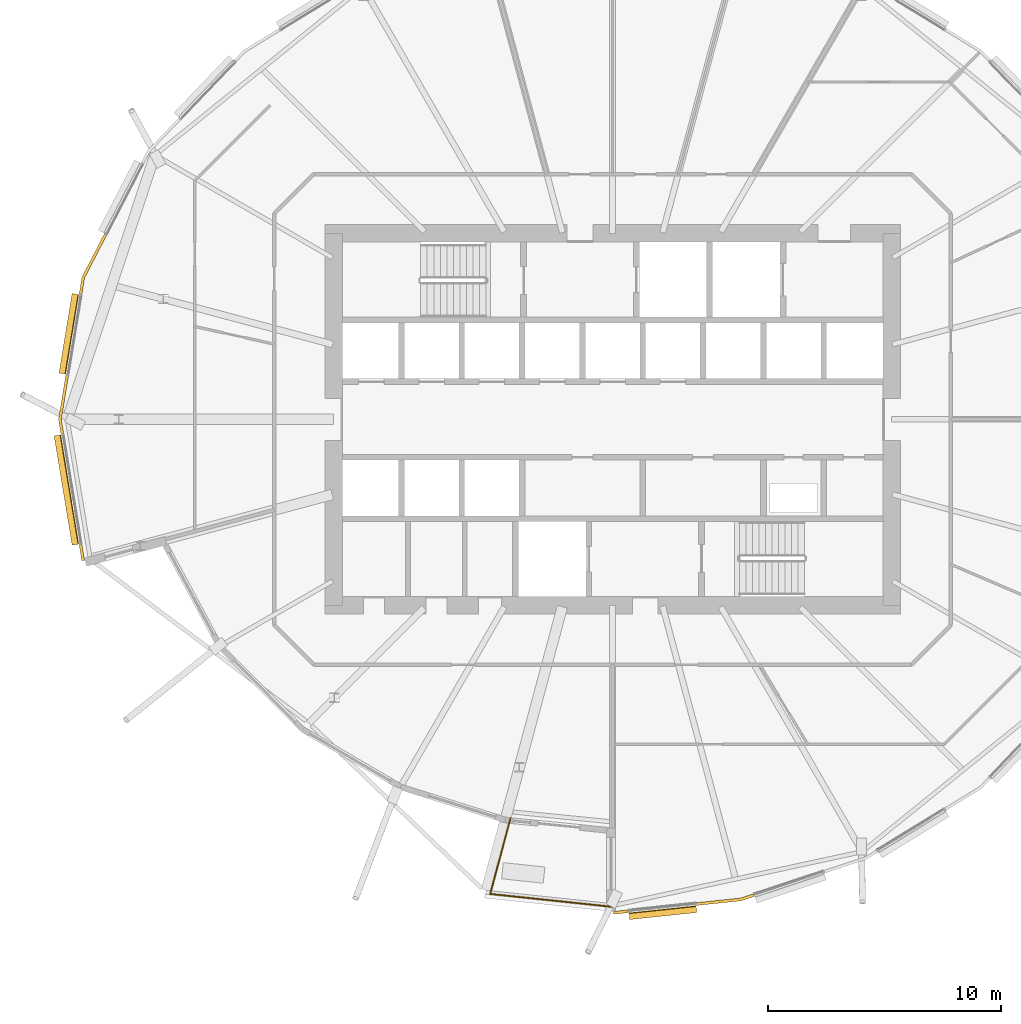
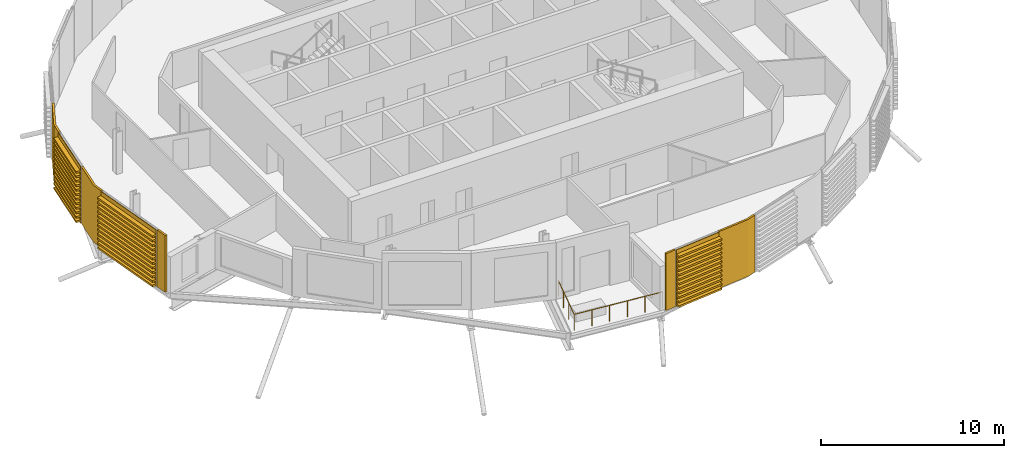
# One storey, part 36 of 43: 8 coverings, 1 railing.
"""IFC4 building model written with IfcOpenShell, lengths in metres."""

from ifc_helpers import new_model, si_unit, direction, frame, origin, origin_2d, place, context, subcontext, project, spatial, polyline, circle, outline, extrude, material, layer, layer_set, material_profile, profile_set, type_object, element, save


model = new_model("IFC4")

# Units and contexts
model_context = context("Model", 3, precision=1e-05, world=origin(), true_north=direction((0.0, 1.0)))
body_context = subcontext(model_context, "Body", "Model", "MODEL_VIEW")
ifc_project = project(units=[si_unit("LENGTHUNIT", "METRE"), si_unit("AREAUNIT", "SQUARE_METRE"), si_unit("VOLUMEUNIT", "CUBIC_METRE"), si_unit("PLANEANGLEUNIT", "RADIAN"), si_unit("MASSUNIT", "GRAM", prefix="KILO")], contexts=[model_context])

# Site, building, storey
site_placement = place(None, origin())
site = spatial("IfcSite", under=ifc_project, at=site_placement, CompositionType="ELEMENT")
building_placement = place(site_placement, origin())
building = spatial("IfcBuilding", under=site, at=building_placement, Name="Rimbun Link Towers", CompositionType="ELEMENT")
storey_placement = place(building_placement, frame((0.0, 0.0, 81.60009765625)))
storey = spatial("IfcBuildingStorey", under=building, at=storey_placement, Name="L19", CompositionType="ELEMENT", Elevation=81.60009765625)

# Railing
ifc_material_1 = material(Name="Stainless steel grade 316", Category="steel")
railing_type = type_object("IfcRailingType", Name="GUARD stainless rail and posts", PredefinedType="GUARDRAIL", material=ifc_material_1)
railing_placement = place(storey_placement, frame((-36.140869140625, -17.15966796875, 0.0)))
element("IfcRailing", 1, at=railing_placement, inside=storey, type_object=railing_type, Name="GUARD", PredefinedType="GUARDRAIL", context=body_context, shape_type="SweptSolid", body=[
    extrude(circle(Radius=0.02392578125, at=origin_2d()), frame((0.0, 0.0, 1.076171875), z_axis=(-0.258818270414, -0.965926033866, 0.0), x_axis=(0.965926033866, -0.258818270414, 0.0)), (0.0, 0.0, 1.0), 3.36572265625),
    extrude(circle(Radius=0.02392578125, at=origin_2d()), frame((-0.87109375, -3.2509765625, 1.076171875), z_axis=(0.994499659348, -0.104739808848, 0.0), x_axis=(0.104739808848, 0.994499659348, 0.0)), (0.0, 0.0, 1.0), 5.312255859375),
    extrude(circle(Radius=0.02099609375, at=origin_2d()), origin(), (0.0, 0.0, 1.0), 1.052001953125),
    extrude(circle(Radius=0.02099609375, at=origin_2d()), frame((-0.290283203125, -1.083740234375, 0.0)), (0.0, 0.0, 1.0), 1.052001953125),
    extrude(circle(Radius=0.02099609375, at=origin_2d()), frame((-0.580810546875, -2.167236328125, 0.0)), (0.0, 0.0, 1.0), 1.052001953125),
    extrude(circle(Radius=0.02099609375, at=origin_2d()), frame((-0.87109375, -3.2509765625, 0.0)), (0.0, 0.0, 1.0), 1.052001953125),
    extrude(circle(Radius=0.02099609375, at=origin_2d()), frame((0.185546875, -3.3623046875, 0.0)), (0.0, 0.0, 1.0), 1.052001953125),
    extrude(circle(Radius=0.02099609375, at=origin_2d()), frame((1.2421875, -3.4736328125, 0.0)), (0.0, 0.0, 1.0), 1.052001953125),
    extrude(circle(Radius=0.02099609375, at=origin_2d()), frame((2.298583984375, -3.584716796875, 0.0)), (0.0, 0.0, 1.0), 1.052001953125),
    extrude(circle(Radius=0.02099609375, at=origin_2d()), frame((3.355224609375, -3.696044921875, 0.0)), (0.0, 0.0, 1.0), 1.052001953125),
    extrude(circle(Radius=0.02099609375, at=origin_2d()), frame((4.411865234375, -3.807373046875, 0.0)), (0.0, 0.0, 1.0), 1.052001953125),
])

# Coverings
ifc_material_2 = material(Name="Terracotta", Category="masonry")
ifc_layer = layer(ifc_material_2, 0.1201171875)
ifc_layer_set = layer_set([ifc_layer], Name="LINK PIER terracotta cladding 120")
covering_type_1 = type_object("IfcCoveringType", Name="LINK PIER terracotta cladding 120", PredefinedType="CLADDING", material=ifc_layer_set)
covering_1_placement = place(storey_placement, origin())
element("IfcCovering", 2, at=covering_1_placement, inside=storey, type_object=covering_type_1, Name="LINK PIER cladding", PredefinedType="CLADDING", context=body_context, shape_type="SweptSolid", body=[
    extrude(outline(polyline([(-54.572265625, 5.37353515625), (-54.45556640625, 6.083984375), (-53.504150390625, 7.92236328125), (-53.61083984375, 7.9775390625), (-54.57080078125, 6.1220703125), (-54.690673828125, 5.392822265625), (-54.572265625, 5.37353515625)])), origin(), (0.0, 0.0, 1.0), 3.7998046875),
])
covering_2_placement = place(storey_placement, origin())
element("IfcCovering", 3, at=covering_2_placement, inside=storey, type_object=covering_type_1, Name="LINK PIER cladding", PredefinedType="CLADDING", context=body_context, shape_type="SweptSolid", body=[
    extrude(outline(polyline([(-54.46044921875, -6.05419921875), (-54.572265625, -5.37353515625), (-54.690673828125, -5.392822265625), (-54.578857421875, -6.07373046875), (-54.46044921875, -6.05419921875)])), origin(), (0.0, 0.0, 1.0), 3.7998046875),
])
covering_3_placement = place(storey_placement, origin())
element("IfcCovering", 4, at=covering_3_placement, inside=storey, type_object=covering_type_1, Name="LINK PIER cladding", PredefinedType="CLADDING", context=body_context, shape_type="SweptSolid", body=[
    extrude(outline(polyline([(-55.355224609375, -0.61181640625), (-55.455810546875, 0.0), (-55.144287109375, 1.89453125), (-55.2626953125, 1.9140625), (-55.577392578125, 0.0), (-55.4736328125, -0.63134765625), (-55.355224609375, -0.61181640625)])), origin(), (0.0, 0.0, 1.0), 3.7998046875),
])
covering_4_placement = place(storey_placement, origin())
element("IfcCovering", 5, at=covering_4_placement, inside=storey, type_object=covering_type_1, Name="LINK PIER cladding", PredefinedType="CLADDING", context=body_context, shape_type="SweptSolid", body=[
    extrude(outline(polyline([(-31.083740234375, -21.095947265625), (-31.72021484375, -21.162841796875), (-31.70751953125, -21.2822265625), (-31.071044921875, -21.215087890625), (-31.083740234375, -21.095947265625)])), origin(), (0.0, 0.0, 1.0), 3.7998046875),
])
covering_5_placement = place(storey_placement, origin())
element("IfcCovering", 6, at=covering_5_placement, inside=storey, type_object=covering_type_1, Name="LINK PIER cladding", PredefinedType="CLADDING", context=body_context, shape_type="SweptSolid", body=[
    extrude(outline(polyline([(-25.693115234375, -20.40576171875), (-26.234130859375, -20.585205078125), (-28.1435546875, -20.7861328125), (-28.131103515625, -20.905517578125), (-26.208740234375, -20.703125), (-25.6552734375, -20.519775390625), (-25.693115234375, -20.40576171875)])), origin(), (0.0, 0.0, 1.0), 3.7998046875),
])
ifc_material_3 = material(Name="Terracotta", Category="masonry")
ifc_material_profile = material_profile(ifc_material_3, outline(polyline([(0.123046875, 0.0), (0.1630859375, 0.0), (0.1630859375, 0.10009765625), (0.423095703125, 0.10009765625), (0.423095703125, 0.219970703125), (0.1630859375, 0.219970703125), (0.1630859375, 0.39990234375), (0.423095703125, 0.39990234375), (0.423095703125, 0.52001953125), (0.1630859375, 0.52001953125), (0.1630859375, 0.699951171875), (0.423095703125, 0.699951171875), (0.423095703125, 0.820068359375), (0.1630859375, 0.820068359375), (0.1630859375, 1.0), (0.423095703125, 1.0), (0.423095703125, 1.1201171875), (0.1630859375, 1.1201171875), (0.1630859375, 1.300048828125), (0.423095703125, 1.300048828125), (0.423095703125, 1.419921875), (0.1630859375, 1.419921875), (0.1630859375, 1.60009765625), (0.423095703125, 1.60009765625), (0.423095703125, 1.719970703125), (0.1630859375, 1.719970703125), (0.1630859375, 1.89990234375), (0.423095703125, 1.89990234375), (0.423095703125, 2.02001953125), (0.1630859375, 2.02001953125), (0.1630859375, 2.199951171875), (0.423095703125, 2.199951171875), (0.423095703125, 2.320068359375), (0.1630859375, 2.320068359375), (0.1630859375, 2.5), (0.423095703125, 2.5), (0.423095703125, 2.6201171875), (0.1630859375, 2.6201171875), (0.1630859375, 2.800048828125), (0.423095703125, 2.800048828125), (0.423095703125, 2.919921875), (0.1630859375, 2.919921875), (0.1630859375, 3.10009765625), (0.423095703125, 3.10009765625), (0.423095703125, 3.219970703125), (0.1630859375, 3.219970703125), (0.1630859375, 3.39990234375), (0.423095703125, 3.39990234375), (0.423095703125, 3.52001953125), (0.1630859375, 3.52001953125), (0.1630859375, 3.800048828125), (0.123046875, 3.800048828125), (0.123046875, 0.0)])), Name="BAGUETTE 120X300")
ifc_profile_set = profile_set([ifc_material_profile], Name="Terracotta")
covering_type_2 = type_object("IfcCoveringType", Name="TERRACOTTA BAGUETTE 120X300 H3800", PredefinedType="CLADDING", material=ifc_profile_set)
covering_6_placement = place(storey_placement, frame((-55.139404296875, 1.924072265625, 0.0), z_axis=(0.162239487498, 0.986751411804, 0.0), x_axis=(-0.986751411804, 0.162239487498, 0.0)))
element("IfcCovering", 7, at=covering_6_placement, inside=storey, type_object=covering_type_2, Name="TERRACOTTA BAGUETTE", PredefinedType="CLADDING", context=body_context, shape_type="SweptSolid", body=[
    extrude(outline(polyline([(0.123046875, 0.0), (0.1630859375, 0.0), (0.1630859375, 0.10009765625), (0.423095703125, 0.10009765625), (0.423095703125, 0.219970703125), (0.1630859375, 0.219970703125), (0.1630859375, 0.39990234375), (0.423095703125, 0.39990234375), (0.423095703125, 0.52001953125), (0.1630859375, 0.52001953125), (0.1630859375, 0.699951171875), (0.423095703125, 0.699951171875), (0.423095703125, 0.820068359375), (0.1630859375, 0.820068359375), (0.1630859375, 1.0), (0.423095703125, 1.0), (0.423095703125, 1.1201171875), (0.1630859375, 1.1201171875), (0.1630859375, 1.300048828125), (0.423095703125, 1.300048828125), (0.423095703125, 1.419921875), (0.1630859375, 1.419921875), (0.1630859375, 1.60009765625), (0.423095703125, 1.60009765625), (0.423095703125, 1.719970703125), (0.1630859375, 1.719970703125), (0.1630859375, 1.89990234375), (0.423095703125, 1.89990234375), (0.423095703125, 2.02001953125), (0.1630859375, 2.02001953125), (0.1630859375, 2.199951171875), (0.423095703125, 2.199951171875), (0.423095703125, 2.320068359375), (0.1630859375, 2.320068359375), (0.1630859375, 2.5), (0.423095703125, 2.5), (0.423095703125, 2.6201171875), (0.1630859375, 2.6201171875), (0.1630859375, 2.800048828125), (0.423095703125, 2.800048828125), (0.423095703125, 2.919921875), (0.1630859375, 2.919921875), (0.1630859375, 3.10009765625), (0.423095703125, 3.10009765625), (0.423095703125, 3.219970703125), (0.1630859375, 3.219970703125), (0.1630859375, 3.39990234375), (0.423095703125, 3.39990234375), (0.423095703125, 3.52001953125), (0.1630859375, 3.52001953125), (0.1630859375, 3.800048828125), (0.123046875, 3.800048828125), (0.123046875, 0.0)])), origin(), (0.0, 0.0, 1.0), 3.465576171875),
])
covering_7_placement = place(storey_placement, frame((-54.5771484375, -5.34375, 0.0), z_axis=(-0.162246916198, 0.986750190364, 0.0), x_axis=(-0.986750190364, -0.162246916198, 0.0)))
element("IfcCovering", 8, at=covering_7_placement, inside=storey, type_object=covering_type_2, Name="TERRACOTTA BAGUETTE", PredefinedType="CLADDING", context=body_context, shape_type="SweptSolid", body=[
    extrude(outline(polyline([(0.123046875, 0.0), (0.1630859375, 0.0), (0.1630859375, 0.10009765625), (0.423095703125, 0.10009765625), (0.423095703125, 0.219970703125), (0.1630859375, 0.219970703125), (0.1630859375, 0.39990234375), (0.423095703125, 0.39990234375), (0.423095703125, 0.52001953125), (0.1630859375, 0.52001953125), (0.1630859375, 0.699951171875), (0.423095703125, 0.699951171875), (0.423095703125, 0.820068359375), (0.1630859375, 0.820068359375), (0.1630859375, 1.0), (0.423095703125, 1.0), (0.423095703125, 1.1201171875), (0.1630859375, 1.1201171875), (0.1630859375, 1.300048828125), (0.423095703125, 1.300048828125), (0.423095703125, 1.419921875), (0.1630859375, 1.419921875), (0.1630859375, 1.60009765625), (0.423095703125, 1.60009765625), (0.423095703125, 1.719970703125), (0.1630859375, 1.719970703125), (0.1630859375, 1.89990234375), (0.423095703125, 1.89990234375), (0.423095703125, 2.02001953125), (0.1630859375, 2.02001953125), (0.1630859375, 2.199951171875), (0.423095703125, 2.199951171875), (0.423095703125, 2.320068359375), (0.1630859375, 2.320068359375), (0.1630859375, 2.5), (0.423095703125, 2.5), (0.423095703125, 2.6201171875), (0.1630859375, 2.6201171875), (0.1630859375, 2.800048828125), (0.423095703125, 2.800048828125), (0.423095703125, 2.919921875), (0.1630859375, 2.919921875), (0.1630859375, 3.10009765625), (0.423095703125, 3.10009765625), (0.423095703125, 3.219970703125), (0.1630859375, 3.219970703125), (0.1630859375, 3.39990234375), (0.423095703125, 3.39990234375), (0.423095703125, 3.52001953125), (0.1630859375, 3.52001953125), (0.1630859375, 3.800048828125), (0.123046875, 3.800048828125), (0.123046875, 0.0)])), origin(), (0.0, 0.0, 1.0), 4.765625),
])
covering_8_placement = place(storey_placement, frame((-28.173583984375, -20.789306640625, 0.0), z_axis=(-0.994495749116, -0.104776929662, 0.0), x_axis=(0.104776929662, -0.994495749116, 0.0)))
element("IfcCovering", 9, at=covering_8_placement, inside=storey, type_object=covering_type_2, Name="TERRACOTTA BAGUETTE", PredefinedType="CLADDING", context=body_context, shape_type="SweptSolid", body=[
    extrude(outline(polyline([(0.123046875, 0.0), (0.1630859375, 0.0), (0.1630859375, 0.10009765625), (0.423095703125, 0.10009765625), (0.423095703125, 0.219970703125), (0.1630859375, 0.219970703125), (0.1630859375, 0.39990234375), (0.423095703125, 0.39990234375), (0.423095703125, 0.52001953125), (0.1630859375, 0.52001953125), (0.1630859375, 0.699951171875), (0.423095703125, 0.699951171875), (0.423095703125, 0.820068359375), (0.1630859375, 0.820068359375), (0.1630859375, 1.0), (0.423095703125, 1.0), (0.423095703125, 1.1201171875), (0.1630859375, 1.1201171875), (0.1630859375, 1.300048828125), (0.423095703125, 1.300048828125), (0.423095703125, 1.419921875), (0.1630859375, 1.419921875), (0.1630859375, 1.60009765625), (0.423095703125, 1.60009765625), (0.423095703125, 1.719970703125), (0.1630859375, 1.719970703125), (0.1630859375, 1.89990234375), (0.423095703125, 1.89990234375), (0.423095703125, 2.02001953125), (0.1630859375, 2.02001953125), (0.1630859375, 2.199951171875), (0.423095703125, 2.199951171875), (0.423095703125, 2.320068359375), (0.1630859375, 2.320068359375), (0.1630859375, 2.5), (0.423095703125, 2.5), (0.423095703125, 2.6201171875), (0.1630859375, 2.6201171875), (0.1630859375, 2.800048828125), (0.423095703125, 2.800048828125), (0.423095703125, 2.919921875), (0.1630859375, 2.919921875), (0.1630859375, 3.10009765625), (0.423095703125, 3.10009765625), (0.423095703125, 3.219970703125), (0.1630859375, 3.219970703125), (0.1630859375, 3.39990234375), (0.423095703125, 3.39990234375), (0.423095703125, 3.52001953125), (0.1630859375, 3.52001953125), (0.1630859375, 3.800048828125), (0.123046875, 3.800048828125), (0.123046875, 0.0)])), origin(), (0.0, 0.0, 1.0), 2.896240234375),
])

save(model, "model.ifc")
